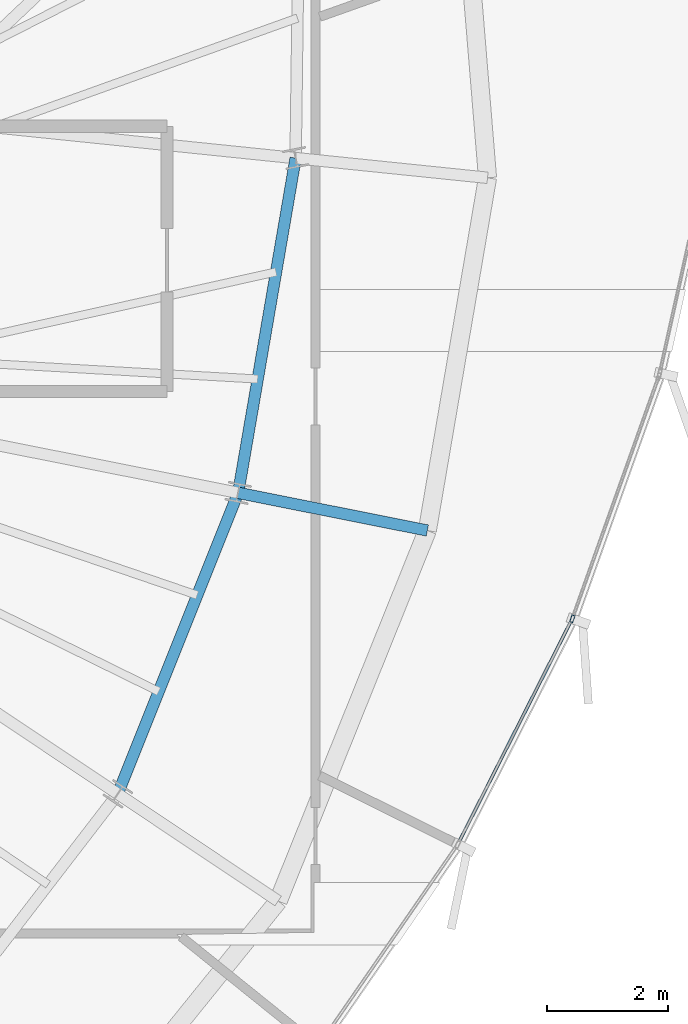
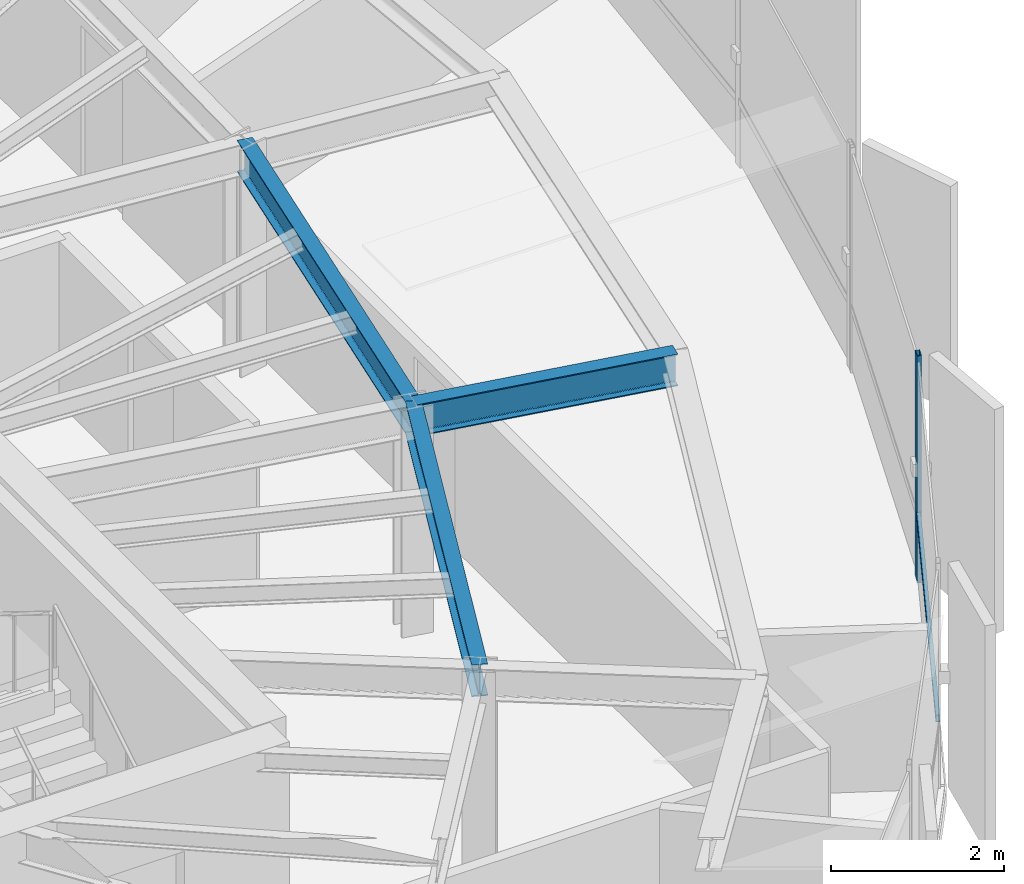
# One storey, part 14 of 36: 3 beams, 2 members, 1 element without a shape of its own.
"""IFC4 building model written with IfcOpenShell, lengths in metres."""

from ifc_helpers import new_model, si_unit, direction, frame, origin, origin_2d, place, context, subcontext, project, spatial, hollow_rectangle, i_section, extrude, source, transform, mapped, material, layer, layer_set, material_profile, profile_set, type_object, element, aggregate, save


model = new_model("IFC4")

# Units and contexts
model_context = context("Model", 3, precision=1e-05, world=origin(), true_north=direction((0.0, 1.0)))
body_context = subcontext(model_context, "Body", "Model", "MODEL_VIEW")
ifc_project = project(units=[si_unit("LENGTHUNIT", "METRE"), si_unit("AREAUNIT", "SQUARE_METRE"), si_unit("VOLUMEUNIT", "CUBIC_METRE"), si_unit("PLANEANGLEUNIT", "RADIAN"), si_unit("MASSUNIT", "GRAM", prefix="KILO"), si_unit("THERMODYNAMICTEMPERATUREUNIT", "KELVIN")], contexts=[model_context])

# Site, building, storey
site_placement = place(None, origin())
site = spatial("IfcSite", under=ifc_project, at=site_placement, CompositionType="ELEMENT")
building_placement = place(site_placement, origin())
building = spatial("IfcBuilding", under=site, at=building_placement, Name="Kethvar Cultural Tower", CompositionType="ELEMENT")
storey_placement = place(building_placement, frame((0.0, 0.0, 242.199951171875)))
storey = spatial("IfcBuildingStorey", under=building, at=storey_placement, Name="L63", CompositionType="ELEMENT", Elevation=242.199951171875)

# Beams
ifc_material_1 = material(Name="Steel S355J2", Category="steel")
ifc_material_profile_1 = material_profile(ifc_material_1, i_section(OverallWidth=0.18994140625, OverallDepth=0.449951171875, WebThickness=0.009521484375, FlangeThickness=0.0146484375, FilletRadius=0.02099609375, at=origin_2d()), Name="Steel S355J2 — IPE450")
ifc_profile_set_1 = profile_set([ifc_material_profile_1], Name="Steel S355J2 — IPE450")
beam_type = type_object("IfcBeamType", Name="BM-IPE450", PredefinedType="BEAM", material=ifc_profile_set_1)
shared_shape_1 = source(origin(), body_context, "Body", "SweptSolid", [
    extrude(i_section(OverallWidth=0.18994140625, OverallDepth=0.449951171875, WebThickness=0.009521484375, FlangeThickness=0.0146484375, FilletRadius=0.02099609375, at=origin_2d()), origin(), (0.0, 0.0, 1.0), 3.199951171875),
])
beam_1_placement = place(storey_placement, frame((60.28369140625, 25.117919921875, 2.983154296875), z_axis=(0.980785550224, -0.195088965533, 0.0), x_axis=(0.195088965533, 0.980785550224, 0.0)))
element("IfcBeam", 1, at=beam_1_placement, inside=storey, type_object=beam_type, Name="L63 Perimeter Cantilever Beam RC-16", PredefinedType="BEAM", context=body_context, shape_type="MappedRepresentation", body=[
    mapped(shared_shape_1, transform((0.0, 0.0, 0.0), scale=1.0)),
])
shared_shape_2 = source(origin(), body_context, "Body", "SweptSolid", [
    extrude(i_section(OverallWidth=0.18994140625, OverallDepth=0.449951171875, WebThickness=0.009521484375, FlangeThickness=0.0146484375, FilletRadius=0.02099609375, at=origin_2d()), origin(), (0.0, 0.0, 1.0), 5.377685546875),
])
beam_2_placement = place(storey_placement, frame((58.287109375, 20.12451171875, 2.983154296875), z_axis=(0.371265436914, 0.928526776864, 0.0), x_axis=(-0.928526776864, 0.371265436914, 0.0)))
element("IfcBeam", 2, at=beam_2_placement, inside=storey, type_object=beam_type, Name="L63 Column Ring Tie Beam CR-15", PredefinedType="BEAM", context=body_context, shape_type="MappedRepresentation", body=[
    mapped(shared_shape_2, transform((0.0, 0.0, 0.0), scale=1.0)),
])
shared_shape_3 = source(origin(), body_context, "Body", "SweptSolid", [
    extrude(i_section(OverallWidth=0.18994140625, OverallDepth=0.449951171875, WebThickness=0.009521484375, FlangeThickness=0.0146484375, FilletRadius=0.02099609375, at=origin_2d()), origin(), (0.0, 0.0, 1.0), 5.635009765625),
])
beam_3_placement = place(storey_placement, frame((60.28369140625, 25.117919921875, 2.983154296875), z_axis=(0.169188687614, 0.985583678834, 0.0), x_axis=(-0.985583678834, 0.169188687614, 0.0)))
element("IfcBeam", 3, at=beam_3_placement, inside=storey, type_object=beam_type, Name="L63 Column Ring Tie Beam CR-16", PredefinedType="BEAM", context=body_context, shape_type="MappedRepresentation", body=[
    mapped(shared_shape_3, transform((0.0, 0.0, 0.0), scale=1.0)),
])

# Curtain wall, members
ifc_material_2 = material(Name="Aluminium 6063-T6", Category="aluminium")
ifc_layer = layer(ifc_material_2, 0.179931640625, Name="Aluminium 6063-T6", Category="aluminium")
ifc_layer_set = layer_set([ifc_layer], Name="Aluminium 6063-T6 (180 mm)")
curtain_wall_type = type_object("IfcCurtainWallType", Name="CW-SYS-05-Z56", PredefinedType="NOTDEFINED", material=ifc_layer_set)
curtain_wall_placement = place(storey_placement, origin())
curtain_wall = element("IfcCurtainWall", 4, at=curtain_wall_placement, inside=storey, type_object=curtain_wall_type, Name="L63 Curtain Wall Run 05", PredefinedType="NOTDEFINED")
ifc_material_profile_2 = material_profile(ifc_material_2, hollow_rectangle(XDim=0.054931640625, YDim=0.1201171875, WallThickness=0.00390625, at=origin_2d()), Name="Aluminium 6063-T6 — RHS120x55x4")
ifc_profile_set_2 = profile_set([ifc_material_profile_2], Name="Aluminium 6063-T6 — RHS120x55x4")
member_type_1 = type_object("IfcMemberType", Name="CW-SYS-05-Z56-MUL", PredefinedType="MULLION", material=ifc_profile_set_2)
shared_shape_4 = source(origin(), body_context, "Body", "SweptSolid", [
    extrude(hollow_rectangle(XDim=0.054931640625, YDim=0.1201171875, WallThickness=0.00390625, at=origin_2d()), origin(), (0.0, 0.0, 1.0), 3.2099609375),
])
member_1_placement = place(storey_placement, frame((65.82666015625, 23.02880859375, 0.0), z_axis=(0.0, 0.0, 1.0), x_axis=(-0.941846496409, 0.33604341565, 0.0)))
member_1 = element("IfcMember", 5, at=member_1_placement, type_object=member_type_1, Name="CW-L63-R05 Mullion 6", PredefinedType="MULLION", context=body_context, shape_type="MappedRepresentation", body=[
    mapped(shared_shape_4, transform((0.0, 0.0, 0.0), scale=1.0)),
])
ifc_material_profile_3 = material_profile(ifc_material_2, hollow_rectangle(XDim=0.050048828125, YDim=0.10009765625, WallThickness=0.00390625, at=origin_2d()), Name="Aluminium 6063-T6 — RHS100x50x4")
ifc_profile_set_3 = profile_set([ifc_material_profile_3], Name="Aluminium 6063-T6 — RHS100x50x4")
member_type_2 = type_object("IfcMemberType", Name="CW-SYS-05-Z56-TRN", PredefinedType="USERDEFINED", material=ifc_profile_set_3)
shared_shape_5 = source(origin(), body_context, "Body", "SweptSolid", [
    extrude(hollow_rectangle(XDim=0.050048828125, YDim=0.10009765625, WallThickness=0.00390625, at=origin_2d()), origin(), (0.0, 0.0, 1.0), 4.12890625),
])
member_2_placement = place(storey_placement, frame((63.94580078125, 19.322998046875, 0.949951171875), z_axis=(0.452409535246, 0.891810300691, 0.0), x_axis=(-0.891810300691, 0.452409535246, 0.0)))
member_2 = element("IfcMember", 6, at=member_2_placement, type_object=member_type_2, Name="CW-L63-R05 Transom 5", ObjectType="TRANSOM", PredefinedType="USERDEFINED", context=body_context, shape_type="MappedRepresentation", body=[
    mapped(shared_shape_5, transform((0.0, 0.0, 0.0), scale=1.0)),
])
aggregate(curtain_wall, [member_1, member_2])

save(model, "model.ifc")
